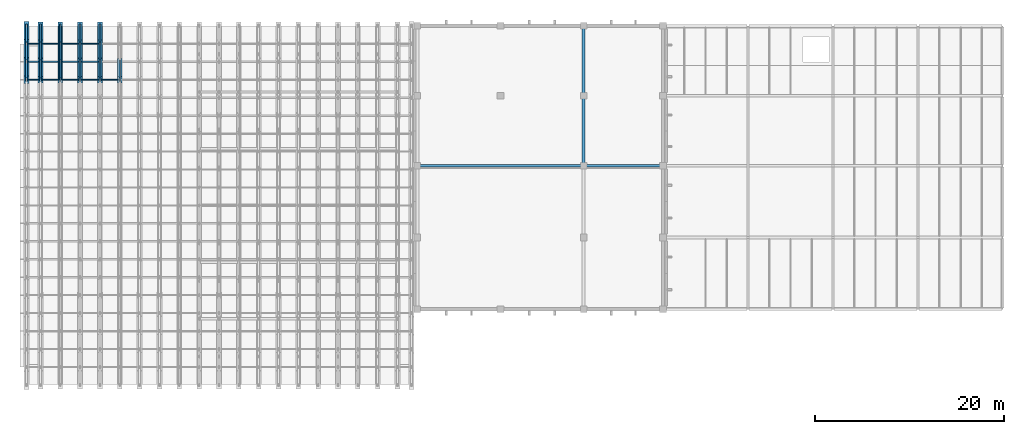
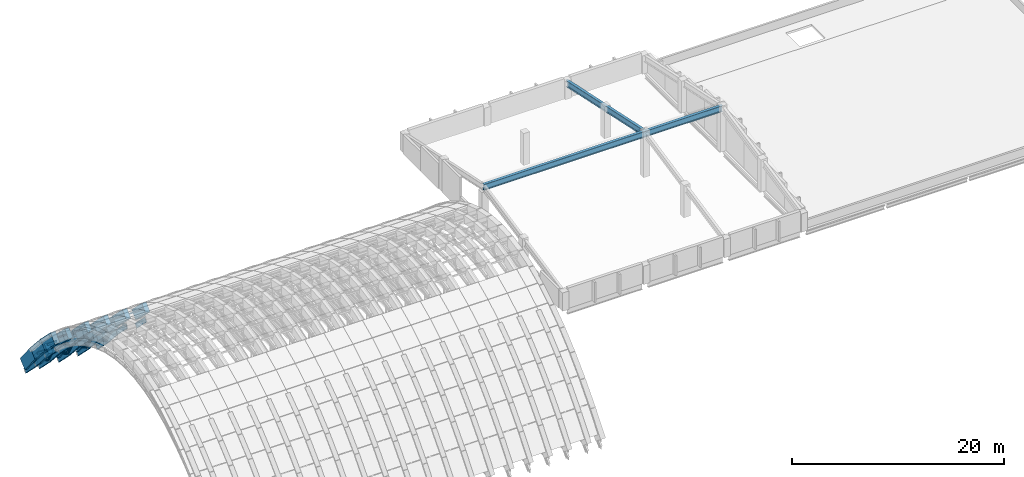
# One storey, part 45 of 67: 34 beams, 25 members.
"""IFC4 building model written with IfcOpenShell, lengths in metres."""

import ifcopenshell
import ifcopenshell.guid

model = None  # the IFC model being written
_history = None  # IfcOwnerHistory: only IFC2X3 demands one
_inside = {}  # id of a spatial element -> (the spatial element, [elements in it])
_under = {}  # id of a project, library or spatial element -> (it, [spatial elements below it])
_declared = {}  # id of a project -> (the project, [libraries it declares])
_typed = {}  # id of a type object -> (the type object, [elements of that type])
_made_of = {}  # id of a material, layer set ... -> (it, [elements and type objects made of it])


def new_model(schema):
    """Start an empty IFC model of exactly this schema.

    Asked for "IFC4X3", IfcOpenShell would pick the latest addendum, in which some entities
    have other attributes; the version numbers below select the first issue.
    IFC2X3 requires an IfcOwnerHistory on every rooted entity: one is made here for all.
    """
    global model, _history
    if schema == "IFC4X3":
        model = ifcopenshell.file(schema_version=(4, 3, 0, 0))
    else:
        model = ifcopenshell.file(schema=schema)
    _inside.clear()
    _under.clear()
    _declared.clear()
    _typed.clear()
    _made_of.clear()
    _history = None
    if model.schema == "IFC2X3":
        org = make("IfcOrganization", Name="unknown")
        user = make(
            "IfcPersonAndOrganization",
            ThePerson=make("IfcPerson", FamilyName="unknown"),
            TheOrganization=org,
        )
        app = make(
            "IfcApplication",
            ApplicationDeveloper=org,
            Version="unknown",
            ApplicationFullName="unknown",
            ApplicationIdentifier="unknown",
        )
        _history = make(
            "IfcOwnerHistory",
            OwningUser=user,
            OwningApplication=app,
            ChangeAction="ADDED",
            CreationDate=0,
        )
    return model


def make(cls, **values):
    """One entity of the class cls with the attributes given. An attribute that is None is left unset."""
    return model.create_entity(
        cls, **{name: value for name, value in values.items() if value is not None}
    )


def rooted(cls, **values):
    """An entity with a GlobalId (a new one), such as an element, a storey or a relation."""
    return make(cls, GlobalId=ifcopenshell.guid.new(), OwnerHistory=_history, **values)


def si_unit(unit_type, name, prefix=None):
    """IfcSIUnit, for example si_unit("LENGTHUNIT", "METRE", prefix="MILLI")."""
    return make("IfcSIUnit", UnitType=unit_type, Prefix=prefix, Name=name)


def assignment(units):
    """IfcUnitAssignment: the units of a project."""
    return None if units is None else make("IfcUnitAssignment", Units=units)


def point(xyz):
    """IfcCartesianPoint."""
    return None if xyz is None else make("IfcCartesianPoint", Coordinates=xyz)


def direction(xyz):
    """IfcDirection."""
    return None if xyz is None else make("IfcDirection", DirectionRatios=xyz)


def frame(location, z_axis=None, x_axis=None):
    """IfcAxis2Placement3D, a coordinate frame: its origin and axes. An axis left out is left unset."""
    return make(
        "IfcAxis2Placement3D",
        Location=point(location),
        Axis=direction(z_axis),
        RefDirection=direction(x_axis),
    )


def frame_2d(location, x_axis=None):
    """IfcAxis2Placement2D, a coordinate frame in the plane: its origin and x axis."""
    return make(
        "IfcAxis2Placement2D", Location=point(location), RefDirection=direction(x_axis)
    )


def origin():
    """The frame at (0, 0, 0) with its axes left unset."""
    return frame((0.0, 0.0, 0.0))


def origin_2d():
    """The frame at (0, 0) in the plane with its x axis left unset."""
    return frame_2d((0.0, 0.0))


def place(relative_to, where):
    """IfcLocalPlacement: puts the frame where relative to a parent placement (None: the world)."""
    return make(
        "IfcLocalPlacement", PlacementRelTo=relative_to, RelativePlacement=where
    )


def context(
    kind, dimensions, precision=None, world=None, true_north=None, identifier=None
):
    """IfcGeometricRepresentationContext, for example the 3D "Model" context."""
    return make(
        "IfcGeometricRepresentationContext",
        ContextIdentifier=identifier,
        ContextType=kind,
        CoordinateSpaceDimension=dimensions,
        Precision=precision,
        WorldCoordinateSystem=world,
        TrueNorth=true_north,
    )


def subcontext(parent, identifier, kind, view, scale=None):
    """IfcGeometricRepresentationSubContext, for example "Body" below "Model"."""
    return make(
        "IfcGeometricRepresentationSubContext",
        ContextIdentifier=identifier,
        ContextType=kind,
        ParentContext=parent,
        TargetScale=scale,
        TargetView=view,
    )


def project(units=None, contexts=None):
    """IfcProject with its units and contexts."""
    return rooted(
        "IfcProject",
        Name="project",
        RepresentationContexts=contexts,
        UnitsInContext=assignment(units),
    )


def spatial(cls, under=None, at=None, **own):
    """A site, building, storey or space (cls), placed at a placement, below another one or the project."""
    s = rooted(cls, ObjectPlacement=at, **own)
    if under is not None:
        _under.setdefault(under.id(), (under, []))[1].append(s)
    return s


def profile(cls, at=None, kind="AREA", **sizes):
    """A parametric profile (cls). Its sizes go by their IFC names, for example OverallWidth=200.0."""
    return make(cls, ProfileType=kind, Position=at, **sizes)


def rectangle(**sizes):
    """IfcRectangleProfileDef."""
    return profile("IfcRectangleProfileDef", **sizes)


def hollow_rectangle(**sizes):
    """IfcRectangleHollowProfileDef."""
    return profile("IfcRectangleHollowProfileDef", **sizes)


def hollow_circle(**sizes):
    """IfcCircleHollowProfileDef."""
    return profile("IfcCircleHollowProfileDef", **sizes)


def i_section(**sizes):
    """IfcIShapeProfileDef."""
    return profile("IfcIShapeProfileDef", **sizes)


def extrude(swept, where, along, depth):
    """IfcExtrudedAreaSolid: the profile swept, set in the frame where, extruded along a direction by depth."""
    return make(
        "IfcExtrudedAreaSolid",
        SweptArea=swept,
        Position=where,
        ExtrudedDirection=direction(along),
        Depth=depth,
    )


def shape(context_of_items, identifier, shape_type, items):
    """IfcShapeRepresentation: the items that make up one representation, for example the "Body"."""
    return make(
        "IfcShapeRepresentation",
        ContextOfItems=context_of_items,
        RepresentationIdentifier=identifier,
        RepresentationType=shape_type,
        Items=items,
    )


def material(Name=None, Category=None):
    """IfcMaterial."""
    return make("IfcMaterial", Name=Name, Category=Category)


def material_profile(
    of_material, cross_section, Name=None, Category=None, Priority=None
):
    """IfcMaterialProfile: a cross section and its material."""
    return make(
        "IfcMaterialProfile",
        Name=Name,
        Material=of_material,
        Profile=cross_section,
        Priority=Priority,
        Category=Category,
    )


def profile_set(profiles, Name=None, composite=None):
    """IfcMaterialProfileSet."""
    return make(
        "IfcMaterialProfileSet",
        Name=Name,
        MaterialProfiles=profiles,
        CompositeProfile=composite,
    )


def made_of(thing, what):
    """Note that an element or type object is made of a material, layer set ...; save() writes the relation."""
    if what is not None:
        _made_of.setdefault(what.id(), (what, []))[1].append(thing)
    return thing


def type_object(cls, material=None, **own):
    """A type object (cls), such as IfcWallType, which elements share."""
    return made_of(rooted(cls, **own), material)


def element(
    cls,
    number,
    at=None,
    inside=None,
    cuts=None,
    type_object=None,
    material=None,
    context=None,
    identifier="Body",
    shape_type=None,
    held_by="IfcProductDefinitionShape",
    body=None,
    shapes=None,
    **own,
):
    """One element of the class cls, such as IfcWall. Its Tag is "e" and its number.

    at: its placement. inside: the storey or other place that contains it. cuts: it is an
    opening in that element (IfcRelVoidsElement). A single representation is given by context,
    identifier, shape_type and body (its items); several are given by shapes. held_by: the class
    of the entity that holds the representations. save() writes the other relations.
    """
    e = rooted(cls, Tag="e%d" % number, ObjectPlacement=at, **own)
    if body is not None:
        shapes = [shape(context, identifier, shape_type, body)]
    if shapes is not None:
        e.Representation = make(held_by, Representations=shapes)
    if inside is not None:
        _inside.setdefault(inside.id(), (inside, []))[1].append(e)
    if cuts is not None:
        rooted(
            "IfcRelVoidsElement", RelatingBuildingElement=cuts, RelatedOpeningElement=e
        )
    if type_object is not None:
        _typed.setdefault(type_object.id(), (type_object, []))[1].append(e)
    return made_of(e, material)


def aggregate(whole, parts):
    """IfcRelAggregates: a whole, such as a stair, and the parts it consists of."""
    return rooted("IfcRelAggregates", RelatingObject=whole, RelatedObjects=parts)


def save(model, path):
    """Write the relations noted so far, then the file.

    IfcRelAggregates (storeys below a building ...), IfcRelContainedInSpatialStructure (elements
    in a storey), IfcRelDefinesByType, IfcRelAssociatesMaterial and IfcRelDeclares: one each for
    every whole, place, type object, material and project.
    """
    for whole, parts in _under.values():
        aggregate(whole, parts)
    for where, things in _inside.values():
        rooted(
            "IfcRelContainedInSpatialStructure",
            RelatedElements=things,
            RelatingStructure=where,
        )
    for kind, things in _typed.values():
        rooted("IfcRelDefinesByType", RelatedObjects=things, RelatingType=kind)
    for what, things in _made_of.values():
        rooted("IfcRelAssociatesMaterial", RelatedObjects=things, RelatingMaterial=what)
    for by, libraries in _declared.values():
        rooted("IfcRelDeclares", RelatingContext=by, RelatedDefinitions=libraries)
    model.write(path)


model = new_model("IFC4")

# Units and contexts
model_context = context("Model", 3, precision=1e-05, world=origin(), true_north=direction((0.0, 1.0)))
body_context = subcontext(model_context, "Body", "Model", "MODEL_VIEW")
ifc_project = project(units=[si_unit("LENGTHUNIT", "METRE"), si_unit("AREAUNIT", "SQUARE_METRE"), si_unit("VOLUMEUNIT", "CUBIC_METRE"), si_unit("PLANEANGLEUNIT", "RADIAN"), si_unit("MASSUNIT", "GRAM", prefix="KILO")], contexts=[model_context])

# Site, building, storey
site_placement = place(None, origin())
site = spatial("IfcSite", under=ifc_project, at=site_placement, CompositionType="ELEMENT")
building_placement = place(site_placement, origin())
building = spatial("IfcBuilding", under=site, at=building_placement, Name="Shengluoqiao Park Theatre", CompositionType="ELEMENT")
storey_placement = place(building_placement, frame((0.0, 0.0, 28.60009765625)))
storey = spatial("IfcBuildingStorey", under=building, at=storey_placement, Name="Roof", CompositionType="ELEMENT", Elevation=28.60009765625)

# Beams
ifc_material_1 = material(Name="Concrete C50", Category="concrete")
ifc_material_profile_1 = material_profile(ifc_material_1, rectangle(XDim=0.5, YDim=1.050048828125, at=origin_2d()), Name="RC ARCH 500x1050")
ifc_profile_set_1 = profile_set([ifc_material_profile_1], Name="Concrete C50")
beam_type_1 = type_object("IfcBeamType", Name="STR-BM-AR-5010", PredefinedType="BEAM", material=ifc_profile_set_1)
beam_1_placement = place(storey_placement, frame((46.5, 108.300048828125, -3.593994140625), z_axis=(0.0, 0.708926398432, -0.705282469373), x_axis=(-1.0, 0.0, 0.0)))
element("IfcBeam", 1, at=beam_1_placement, inside=storey, type_object=beam_type_1, Name="Barrel-Shell Arch Rib R02-S18", PredefinedType="BEAM", context=body_context, shape_type="SweptSolid", body=[
    extrude(rectangle(XDim=0.5, YDim=1.050048828125, at=origin_2d()), origin(), (0.0, 0.0, 1.0), 2.679931640625),
])
beam_2_placement = place(storey_placement, frame((46.5, 110.199951171875, -5.484130859375), z_axis=(0.0, 0.663638456789, -0.748053473136), x_axis=(-1.0, 0.0, 0.0)))
element("IfcBeam", 2, at=beam_2_placement, inside=storey, type_object=beam_type_1, Name="Barrel-Shell Arch Rib R02-S19", PredefinedType="BEAM", context=body_context, shape_type="SweptSolid", body=[
    extrude(rectangle(XDim=0.5, YDim=1.050048828125, at=origin_2d()), origin(), (0.0, 0.0, 1.0), 2.86328125),
])
beam_3_placement = place(storey_placement, frame((46.5, 112.10009765625, -7.6259765625), z_axis=(0.0, 0.621631409309, -0.783309894588), x_axis=(-1.0, 0.0, 0.0)))
element("IfcBeam", 3, at=beam_3_placement, inside=storey, type_object=beam_type_1, Name="Barrel-Shell Arch Rib R02-S20", PredefinedType="BEAM", context=body_context, shape_type="SweptSolid", body=[
    extrude(rectangle(XDim=0.5, YDim=1.050048828125, at=origin_2d()), origin(), (0.0, 0.0, 1.0), 3.056396484375),
])
beam_4_placement = place(storey_placement, frame((48.60009765625, 108.300048828125, -3.593994140625), z_axis=(0.0, 0.708926398432, -0.705282469373), x_axis=(-1.0, 0.0, 0.0)))
element("IfcBeam", 4, at=beam_4_placement, inside=storey, type_object=beam_type_1, Name="Barrel-Shell Arch Rib R03-S18", PredefinedType="BEAM", context=body_context, shape_type="SweptSolid", body=[
    extrude(rectangle(XDim=0.5, YDim=1.050048828125, at=origin_2d()), origin(), (0.0, 0.0, 1.0), 2.679931640625),
])
beam_5_placement = place(storey_placement, frame((48.60009765625, 110.199951171875, -5.484130859375), z_axis=(0.0, 0.663638456789, -0.748053473136), x_axis=(-1.0, 0.0, 0.0)))
element("IfcBeam", 5, at=beam_5_placement, inside=storey, type_object=beam_type_1, Name="Barrel-Shell Arch Rib R03-S19", PredefinedType="BEAM", context=body_context, shape_type="SweptSolid", body=[
    extrude(rectangle(XDim=0.5, YDim=1.050048828125, at=origin_2d()), origin(), (0.0, 0.0, 1.0), 2.86328125),
])
beam_6_placement = place(storey_placement, frame((48.60009765625, 112.10009765625, -7.6259765625), z_axis=(0.0, 0.621631409309, -0.783309894588), x_axis=(-1.0, 0.0, 0.0)))
element("IfcBeam", 6, at=beam_6_placement, inside=storey, type_object=beam_type_1, Name="Barrel-Shell Arch Rib R03-S20", PredefinedType="BEAM", context=body_context, shape_type="SweptSolid", body=[
    extrude(rectangle(XDim=0.5, YDim=1.050048828125, at=origin_2d()), origin(), (0.0, 0.0, 1.0), 3.056396484375),
])
beam_7_placement = place(storey_placement, frame((50.699951171875, 108.300048828125, -3.593994140625), z_axis=(0.0, 0.708926398432, -0.705282469373), x_axis=(-1.0, 0.0, 0.0)))
element("IfcBeam", 7, at=beam_7_placement, inside=storey, type_object=beam_type_1, Name="Barrel-Shell Arch Rib R04-S18", PredefinedType="BEAM", context=body_context, shape_type="SweptSolid", body=[
    extrude(rectangle(XDim=0.5, YDim=1.050048828125, at=origin_2d()), origin(), (0.0, 0.0, 1.0), 2.679931640625),
])
beam_8_placement = place(storey_placement, frame((50.699951171875, 110.199951171875, -5.484130859375), z_axis=(0.0, 0.663638456789, -0.748053473136), x_axis=(-1.0, 0.0, 0.0)))
element("IfcBeam", 8, at=beam_8_placement, inside=storey, type_object=beam_type_1, Name="Barrel-Shell Arch Rib R04-S19", PredefinedType="BEAM", context=body_context, shape_type="SweptSolid", body=[
    extrude(rectangle(XDim=0.5, YDim=1.050048828125, at=origin_2d()), origin(), (0.0, 0.0, 1.0), 2.86328125),
])
beam_9_placement = place(storey_placement, frame((50.699951171875, 112.10009765625, -7.6259765625), z_axis=(0.0, 0.621631409309, -0.783309894588), x_axis=(-1.0, 0.0, 0.0)))
element("IfcBeam", 9, at=beam_9_placement, inside=storey, type_object=beam_type_1, Name="Barrel-Shell Arch Rib R04-S20", PredefinedType="BEAM", context=body_context, shape_type="SweptSolid", body=[
    extrude(rectangle(XDim=0.5, YDim=1.050048828125, at=origin_2d()), origin(), (0.0, 0.0, 1.0), 3.056396484375),
])
beam_10_placement = place(storey_placement, frame((52.800048828125, 108.300048828125, -3.593994140625), z_axis=(0.0, 0.708926398432, -0.705282469373), x_axis=(-1.0, 0.0, 0.0)))
element("IfcBeam", 10, at=beam_10_placement, inside=storey, type_object=beam_type_1, Name="Barrel-Shell Arch Rib R05-S18", PredefinedType="BEAM", context=body_context, shape_type="SweptSolid", body=[
    extrude(rectangle(XDim=0.5, YDim=1.050048828125, at=origin_2d()), origin(), (0.0, 0.0, 1.0), 2.679931640625),
])
beam_11_placement = place(storey_placement, frame((52.800048828125, 110.199951171875, -5.484130859375), z_axis=(0.0, 0.663638456789, -0.748053473136), x_axis=(-1.0, 0.0, 0.0)))
element("IfcBeam", 11, at=beam_11_placement, inside=storey, type_object=beam_type_1, Name="Barrel-Shell Arch Rib R05-S19", PredefinedType="BEAM", context=body_context, shape_type="SweptSolid", body=[
    extrude(rectangle(XDim=0.5, YDim=1.050048828125, at=origin_2d()), origin(), (0.0, 0.0, 1.0), 2.86328125),
])
beam_12_placement = place(storey_placement, frame((52.800048828125, 112.10009765625, -7.6259765625), z_axis=(0.0, 0.621631409309, -0.783309894588), x_axis=(-1.0, 0.0, 0.0)))
element("IfcBeam", 12, at=beam_12_placement, inside=storey, type_object=beam_type_1, Name="Barrel-Shell Arch Rib R05-S20", PredefinedType="BEAM", context=body_context, shape_type="SweptSolid", body=[
    extrude(rectangle(XDim=0.5, YDim=1.050048828125, at=origin_2d()), origin(), (0.0, 0.0, 1.0), 3.056396484375),
])
beam_13_placement = place(storey_placement, frame((54.89990234375, 108.300048828125, -3.593994140625), z_axis=(0.0, 0.708926398432, -0.705282469373), x_axis=(-1.0, 0.0, 0.0)))
element("IfcBeam", 13, at=beam_13_placement, inside=storey, type_object=beam_type_1, Name="Barrel-Shell Arch Rib R06-S18", PredefinedType="BEAM", context=body_context, shape_type="SweptSolid", body=[
    extrude(rectangle(XDim=0.5, YDim=1.050048828125, at=origin_2d()), origin(), (0.0, 0.0, 1.0), 2.679931640625),
])
ifc_material_profile_2 = material_profile(ifc_material_1, rectangle(XDim=0.550048828125, YDim=1.199951171875, at=origin_2d()), Name="RC ARCH 550x1200")
ifc_profile_set_2 = profile_set([ifc_material_profile_2], Name="Concrete C50")
beam_type_2 = type_object("IfcBeamType", Name="STR-BM-AR-5512", PredefinedType="BEAM", material=ifc_profile_set_2)
beam_14_placement = place(storey_placement, frame((45.02001953125, 108.300048828125, -3.593994140625), z_axis=(0.0, 0.708926398432, -0.705282469373), x_axis=(-1.0, 0.0, 0.0)))
element("IfcBeam", 14, at=beam_14_placement, inside=storey, type_object=beam_type_2, Name="Barrel-Shell Arch Rib R01-S18", PredefinedType="BEAM", context=body_context, shape_type="SweptSolid", body=[
    extrude(rectangle(XDim=0.550048828125, YDim=1.199951171875, at=origin_2d()), origin(), (0.0, 0.0, 1.0), 2.679931640625),
])
beam_15_placement = place(storey_placement, frame((45.02001953125, 110.199951171875, -5.484130859375), z_axis=(0.0, 0.663638456789, -0.748053473136), x_axis=(-1.0, 0.0, 0.0)))
element("IfcBeam", 15, at=beam_15_placement, inside=storey, type_object=beam_type_2, Name="Barrel-Shell Arch Rib R01-S19", PredefinedType="BEAM", context=body_context, shape_type="SweptSolid", body=[
    extrude(rectangle(XDim=0.550048828125, YDim=1.199951171875, at=origin_2d()), origin(), (0.0, 0.0, 1.0), 2.86328125),
])
beam_16_placement = place(storey_placement, frame((45.02001953125, 112.10009765625, -7.6259765625), z_axis=(0.0, 0.621631409309, -0.783309894588), x_axis=(-1.0, 0.0, 0.0)))
element("IfcBeam", 16, at=beam_16_placement, inside=storey, type_object=beam_type_2, Name="Barrel-Shell Arch Rib R01-S20", PredefinedType="BEAM", context=body_context, shape_type="SweptSolid", body=[
    extrude(rectangle(XDim=0.550048828125, YDim=1.199951171875, at=origin_2d()), origin(), (0.0, 0.0, 1.0), 3.056396484375),
])
ifc_material_2 = material(Name="Steel Q390", Category="steel")
ifc_material_profile_3 = material_profile(ifc_material_2, i_section(OverallWidth=0.300048828125, OverallDepth=0.699951171875, WebThickness=0.012939453125, FlangeThickness=0.02392578125, FilletRadius=0.02392578125, at=origin_2d()), Name="HN 700x300x13x24")
ifc_profile_set_3 = profile_set([ifc_material_profile_3], Name="Steel Q390")
beam_type_3 = type_object("IfcBeamType", Name="STR-BM-G-HN700", PredefinedType="BEAM", material=ifc_profile_set_3)
beam_17_placement = place(storey_placement, frame((86.39990234375, 99.199951171875, 4.7998046875), z_axis=(1.0, 0.0, 0.0), x_axis=(0.0, 1.0, 0.0)))
element("IfcBeam", 17, at=beam_17_placement, inside=storey, type_object=beam_type_3, Name="Fly Tower Roof Ridge Girder", PredefinedType="BEAM", context=body_context, shape_type="SweptSolid", body=[
    extrude(i_section(OverallWidth=0.300048828125, OverallDepth=0.699951171875, WebThickness=0.012939453125, FlangeThickness=0.02392578125, FilletRadius=0.02392578125, at=origin_2d()), origin(), (0.0, 0.0, 1.0), 26.0),
])
beam_18_placement = place(storey_placement, frame((104.0, 99.35009765625, 4.7998046875), z_axis=(0.0, 0.977921194151, -0.20897401281), x_axis=(-1.0, 0.0, 0.0)))
element("IfcBeam", 18, at=beam_18_placement, inside=storey, type_object=beam_type_3, Name="Fly Tower North Roof Rafter X104", PredefinedType="BEAM", context=body_context, shape_type="SweptSolid", body=[
    extrude(i_section(OverallWidth=0.300048828125, OverallDepth=0.699951171875, WebThickness=0.012939453125, FlangeThickness=0.02392578125, FilletRadius=0.02392578125, at=origin_2d()), origin(), (0.0, 0.0, 1.0), 14.929443359375),
])
ifc_material_3 = material(Name="Steel Q355", Category="steel")
ifc_material_profile_4 = material_profile(ifc_material_3, i_section(OverallWidth=0.199951171875, OverallDepth=0.5, WebThickness=0.010009765625, FlangeThickness=0.01611328125, FilletRadius=0.01806640625, at=origin_2d()), Name="HN 500x200x10x16")
ifc_profile_set_4 = profile_set([ifc_material_profile_4], Name="Steel Q355")
beam_type_4 = type_object("IfcBeamType", Name="STR-BM-J-HN500", PredefinedType="JOIST", material=ifc_profile_set_4)
beam_19_placement = place(storey_placement, frame((45.02001953125, 108.300048828125, -4.9541015625), z_axis=(0.0, 0.708971948389, -0.70523668112), x_axis=(-1.0, 0.0, 0.0)))
element("IfcBeam", 19, at=beam_19_placement, inside=storey, type_object=beam_type_4, Name="Barrel-Shell Lower Arch Chord R01-S18", PredefinedType="JOIST", context=body_context, shape_type="SweptSolid", body=[
    extrude(i_section(OverallWidth=0.199951171875, OverallDepth=0.5, WebThickness=0.010009765625, FlangeThickness=0.01611328125, FilletRadius=0.01806640625, at=origin_2d()), origin(), (0.0, 0.0, 1.0), 2.6796875),
])
beam_20_placement = place(storey_placement, frame((45.02001953125, 110.199951171875, -6.843994140625), z_axis=(0.0, 0.663596128385, -0.748091022799), x_axis=(-1.0, 0.0, 0.0)))
element("IfcBeam", 20, at=beam_20_placement, inside=storey, type_object=beam_type_4, Name="Barrel-Shell Lower Arch Chord R01-S19", PredefinedType="JOIST", context=body_context, shape_type="SweptSolid", body=[
    extrude(i_section(OverallWidth=0.199951171875, OverallDepth=0.5, WebThickness=0.010009765625, FlangeThickness=0.01611328125, FilletRadius=0.01806640625, at=origin_2d()), origin(), (0.0, 0.0, 1.0), 2.863525390625),
])
beam_21_placement = place(storey_placement, frame((45.02001953125, 112.10009765625, -8.986083984375), z_axis=(0.0, 0.708197993403, -0.706013882398), x_axis=(-1.0, 0.0, 0.0)))
element("IfcBeam", 21, at=beam_21_placement, inside=storey, type_object=beam_type_4, Name="Barrel-Shell Lower Arch Chord R01-S20", PredefinedType="JOIST", context=body_context, shape_type="SweptSolid", body=[
    extrude(i_section(OverallWidth=0.199951171875, OverallDepth=0.5, WebThickness=0.010009765625, FlangeThickness=0.01611328125, FilletRadius=0.01806640625, at=origin_2d()), origin(), (0.0, 0.0, 1.0), 2.6826171875),
])
beam_22_placement = place(storey_placement, frame((46.5, 108.300048828125, -4.9541015625), z_axis=(0.0, 0.708971948389, -0.70523668112), x_axis=(-1.0, 0.0, 0.0)))
element("IfcBeam", 22, at=beam_22_placement, inside=storey, type_object=beam_type_4, Name="Barrel-Shell Lower Arch Chord R02-S18", PredefinedType="JOIST", context=body_context, shape_type="SweptSolid", body=[
    extrude(i_section(OverallWidth=0.199951171875, OverallDepth=0.5, WebThickness=0.010009765625, FlangeThickness=0.01611328125, FilletRadius=0.01806640625, at=origin_2d()), origin(), (0.0, 0.0, 1.0), 2.6796875),
])
beam_23_placement = place(storey_placement, frame((46.5, 110.199951171875, -6.843994140625), z_axis=(0.0, 0.663596128385, -0.748091022799), x_axis=(-1.0, 0.0, 0.0)))
element("IfcBeam", 23, at=beam_23_placement, inside=storey, type_object=beam_type_4, Name="Barrel-Shell Lower Arch Chord R02-S19", PredefinedType="JOIST", context=body_context, shape_type="SweptSolid", body=[
    extrude(i_section(OverallWidth=0.199951171875, OverallDepth=0.5, WebThickness=0.010009765625, FlangeThickness=0.01611328125, FilletRadius=0.01806640625, at=origin_2d()), origin(), (0.0, 0.0, 1.0), 2.863525390625),
])
beam_24_placement = place(storey_placement, frame((46.5, 112.10009765625, -8.986083984375), z_axis=(0.0, 0.708197993403, -0.706013882398), x_axis=(-1.0, 0.0, 0.0)))
element("IfcBeam", 24, at=beam_24_placement, inside=storey, type_object=beam_type_4, Name="Barrel-Shell Lower Arch Chord R02-S20", PredefinedType="JOIST", context=body_context, shape_type="SweptSolid", body=[
    extrude(i_section(OverallWidth=0.199951171875, OverallDepth=0.5, WebThickness=0.010009765625, FlangeThickness=0.01611328125, FilletRadius=0.01806640625, at=origin_2d()), origin(), (0.0, 0.0, 1.0), 2.6826171875),
])
beam_25_placement = place(storey_placement, frame((48.60009765625, 108.300048828125, -4.9541015625), z_axis=(0.0, 0.708971948389, -0.70523668112), x_axis=(-1.0, 0.0, 0.0)))
element("IfcBeam", 25, at=beam_25_placement, inside=storey, type_object=beam_type_4, Name="Barrel-Shell Lower Arch Chord R03-S18", PredefinedType="JOIST", context=body_context, shape_type="SweptSolid", body=[
    extrude(i_section(OverallWidth=0.199951171875, OverallDepth=0.5, WebThickness=0.010009765625, FlangeThickness=0.01611328125, FilletRadius=0.01806640625, at=origin_2d()), origin(), (0.0, 0.0, 1.0), 2.6796875),
])
beam_26_placement = place(storey_placement, frame((48.60009765625, 110.199951171875, -6.843994140625), z_axis=(0.0, 0.663596128385, -0.748091022799), x_axis=(-1.0, 0.0, 0.0)))
element("IfcBeam", 26, at=beam_26_placement, inside=storey, type_object=beam_type_4, Name="Barrel-Shell Lower Arch Chord R03-S19", PredefinedType="JOIST", context=body_context, shape_type="SweptSolid", body=[
    extrude(i_section(OverallWidth=0.199951171875, OverallDepth=0.5, WebThickness=0.010009765625, FlangeThickness=0.01611328125, FilletRadius=0.01806640625, at=origin_2d()), origin(), (0.0, 0.0, 1.0), 2.863525390625),
])
beam_27_placement = place(storey_placement, frame((48.60009765625, 112.10009765625, -8.986083984375), z_axis=(0.0, 0.708197993403, -0.706013882398), x_axis=(-1.0, 0.0, 0.0)))
element("IfcBeam", 27, at=beam_27_placement, inside=storey, type_object=beam_type_4, Name="Barrel-Shell Lower Arch Chord R03-S20", PredefinedType="JOIST", context=body_context, shape_type="SweptSolid", body=[
    extrude(i_section(OverallWidth=0.199951171875, OverallDepth=0.5, WebThickness=0.010009765625, FlangeThickness=0.01611328125, FilletRadius=0.01806640625, at=origin_2d()), origin(), (0.0, 0.0, 1.0), 2.6826171875),
])
beam_28_placement = place(storey_placement, frame((50.699951171875, 108.300048828125, -4.9541015625), z_axis=(0.0, 0.708971948389, -0.70523668112), x_axis=(-1.0, 0.0, 0.0)))
element("IfcBeam", 28, at=beam_28_placement, inside=storey, type_object=beam_type_4, Name="Barrel-Shell Lower Arch Chord R04-S18", PredefinedType="JOIST", context=body_context, shape_type="SweptSolid", body=[
    extrude(i_section(OverallWidth=0.199951171875, OverallDepth=0.5, WebThickness=0.010009765625, FlangeThickness=0.01611328125, FilletRadius=0.01806640625, at=origin_2d()), origin(), (0.0, 0.0, 1.0), 2.6796875),
])
beam_29_placement = place(storey_placement, frame((50.699951171875, 110.199951171875, -6.843994140625), z_axis=(0.0, 0.663596128385, -0.748091022799), x_axis=(-1.0, 0.0, 0.0)))
element("IfcBeam", 29, at=beam_29_placement, inside=storey, type_object=beam_type_4, Name="Barrel-Shell Lower Arch Chord R04-S19", PredefinedType="JOIST", context=body_context, shape_type="SweptSolid", body=[
    extrude(i_section(OverallWidth=0.199951171875, OverallDepth=0.5, WebThickness=0.010009765625, FlangeThickness=0.01611328125, FilletRadius=0.01806640625, at=origin_2d()), origin(), (0.0, 0.0, 1.0), 2.863525390625),
])
beam_30_placement = place(storey_placement, frame((50.699951171875, 112.10009765625, -8.986083984375), z_axis=(0.0, 0.708197993403, -0.706013882398), x_axis=(-1.0, 0.0, 0.0)))
element("IfcBeam", 30, at=beam_30_placement, inside=storey, type_object=beam_type_4, Name="Barrel-Shell Lower Arch Chord R04-S20", PredefinedType="JOIST", context=body_context, shape_type="SweptSolid", body=[
    extrude(i_section(OverallWidth=0.199951171875, OverallDepth=0.5, WebThickness=0.010009765625, FlangeThickness=0.01611328125, FilletRadius=0.01806640625, at=origin_2d()), origin(), (0.0, 0.0, 1.0), 2.6826171875),
])
beam_31_placement = place(storey_placement, frame((52.800048828125, 108.300048828125, -4.9541015625), z_axis=(0.0, 0.708971948389, -0.70523668112), x_axis=(-1.0, 0.0, 0.0)))
element("IfcBeam", 31, at=beam_31_placement, inside=storey, type_object=beam_type_4, Name="Barrel-Shell Lower Arch Chord R05-S18", PredefinedType="JOIST", context=body_context, shape_type="SweptSolid", body=[
    extrude(i_section(OverallWidth=0.199951171875, OverallDepth=0.5, WebThickness=0.010009765625, FlangeThickness=0.01611328125, FilletRadius=0.01806640625, at=origin_2d()), origin(), (0.0, 0.0, 1.0), 2.6796875),
])
beam_32_placement = place(storey_placement, frame((52.800048828125, 110.199951171875, -6.843994140625), z_axis=(0.0, 0.663596128385, -0.748091022799), x_axis=(-1.0, 0.0, 0.0)))
element("IfcBeam", 32, at=beam_32_placement, inside=storey, type_object=beam_type_4, Name="Barrel-Shell Lower Arch Chord R05-S19", PredefinedType="JOIST", context=body_context, shape_type="SweptSolid", body=[
    extrude(i_section(OverallWidth=0.199951171875, OverallDepth=0.5, WebThickness=0.010009765625, FlangeThickness=0.01611328125, FilletRadius=0.01806640625, at=origin_2d()), origin(), (0.0, 0.0, 1.0), 2.863525390625),
])
beam_33_placement = place(storey_placement, frame((52.800048828125, 112.10009765625, -8.986083984375), z_axis=(0.0, 0.708197993403, -0.706013882398), x_axis=(-1.0, 0.0, 0.0)))
element("IfcBeam", 33, at=beam_33_placement, inside=storey, type_object=beam_type_4, Name="Barrel-Shell Lower Arch Chord R05-S20", PredefinedType="JOIST", context=body_context, shape_type="SweptSolid", body=[
    extrude(i_section(OverallWidth=0.199951171875, OverallDepth=0.5, WebThickness=0.010009765625, FlangeThickness=0.01611328125, FilletRadius=0.01806640625, at=origin_2d()), origin(), (0.0, 0.0, 1.0), 2.6826171875),
])
beam_34_placement = place(storey_placement, frame((54.89990234375, 108.300048828125, -4.9541015625), z_axis=(0.0, 0.708971948389, -0.70523668112), x_axis=(-1.0, 0.0, 0.0)))
element("IfcBeam", 34, at=beam_34_placement, inside=storey, type_object=beam_type_4, Name="Barrel-Shell Lower Arch Chord R06-S18", PredefinedType="JOIST", context=body_context, shape_type="SweptSolid", body=[
    extrude(i_section(OverallWidth=0.199951171875, OverallDepth=0.5, WebThickness=0.010009765625, FlangeThickness=0.01611328125, FilletRadius=0.01806640625, at=origin_2d()), origin(), (0.0, 0.0, 1.0), 2.6796875),
])

# Members
ifc_material_profile_5 = material_profile(ifc_material_3, hollow_circle(Radius=0.109619140625, WallThickness=0.010009765625, at=origin_2d()), Name="CHS 219x10")
ifc_profile_set_5 = profile_set([ifc_material_profile_5], Name="Steel Q355")
member_type_1 = type_object("IfcMemberType", Name="STR-MEM-BRC-219", PredefinedType="BRACE", material=ifc_profile_set_5)
member_1_placement = place(storey_placement, frame((46.5, 108.300048828125, -4.9541015625), z_axis=(0.0, 0.963219400843, -0.268716180831), x_axis=(-1.0, 0.0, 0.0)))
element("IfcMember", 35, at=member_1_placement, inside=storey, type_object=member_type_1, Name="Barrel-Shell Arch Truss Web 0038", PredefinedType="BRACE", context=body_context, shape_type="SweptSolid", body=[
    extrude(hollow_circle(Radius=0.109619140625, WallThickness=0.010009765625, at=origin_2d()), origin(), (0.0, 0.0, 1.0), 1.972412109375),
])
member_2_placement = place(storey_placement, frame((46.5, 110.199951171875, -5.484130859375), z_axis=(0.0, 0.476914707828, -0.87894957845), x_axis=(-1.0, 0.0, 0.0)))
element("IfcMember", 36, at=member_2_placement, inside=storey, type_object=member_type_1, Name="Barrel-Shell Arch Truss Web 0039", PredefinedType="BRACE", context=body_context, shape_type="SweptSolid", body=[
    extrude(hollow_circle(Radius=0.109619140625, WallThickness=0.010009765625, at=origin_2d()), origin(), (0.0, 0.0, 1.0), 3.984130859375),
])
member_3_placement = place(storey_placement, frame((46.5, 112.10009765625, -8.986083984375), z_axis=(0.0, 0.878356711208, -0.478005740422), x_axis=(-1.0, 0.0, 0.0)))
element("IfcMember", 37, at=member_3_placement, inside=storey, type_object=member_type_1, Name="Barrel-Shell Arch Truss Web 0040", PredefinedType="BRACE", context=body_context, shape_type="SweptSolid", body=[
    extrude(hollow_circle(Radius=0.109619140625, WallThickness=0.010009765625, at=origin_2d()), origin(), (0.0, 0.0, 1.0), 2.1630859375),
])
member_4_placement = place(storey_placement, frame((48.60009765625, 108.300048828125, -4.9541015625), z_axis=(0.0, 0.963219400843, -0.268716180831), x_axis=(-1.0, 0.0, 0.0)))
element("IfcMember", 38, at=member_4_placement, inside=storey, type_object=member_type_1, Name="Barrel-Shell Arch Truss Web 0058", PredefinedType="BRACE", context=body_context, shape_type="SweptSolid", body=[
    extrude(hollow_circle(Radius=0.109619140625, WallThickness=0.010009765625, at=origin_2d()), origin(), (0.0, 0.0, 1.0), 1.972412109375),
])
member_5_placement = place(storey_placement, frame((48.60009765625, 110.199951171875, -5.484130859375), z_axis=(0.0, 0.476914707828, -0.87894957845), x_axis=(-1.0, 0.0, 0.0)))
element("IfcMember", 39, at=member_5_placement, inside=storey, type_object=member_type_1, Name="Barrel-Shell Arch Truss Web 0059", PredefinedType="BRACE", context=body_context, shape_type="SweptSolid", body=[
    extrude(hollow_circle(Radius=0.109619140625, WallThickness=0.010009765625, at=origin_2d()), origin(), (0.0, 0.0, 1.0), 3.984130859375),
])
member_6_placement = place(storey_placement, frame((48.60009765625, 112.10009765625, -8.986083984375), z_axis=(0.0, 0.878356711208, -0.478005740422), x_axis=(-1.0, 0.0, 0.0)))
element("IfcMember", 40, at=member_6_placement, inside=storey, type_object=member_type_1, Name="Barrel-Shell Arch Truss Web 0060", PredefinedType="BRACE", context=body_context, shape_type="SweptSolid", body=[
    extrude(hollow_circle(Radius=0.109619140625, WallThickness=0.010009765625, at=origin_2d()), origin(), (0.0, 0.0, 1.0), 2.1630859375),
])
member_7_placement = place(storey_placement, frame((50.699951171875, 108.300048828125, -4.9541015625), z_axis=(0.0, 0.963219400843, -0.268716180831), x_axis=(-1.0, 0.0, 0.0)))
element("IfcMember", 41, at=member_7_placement, inside=storey, type_object=member_type_1, Name="Barrel-Shell Arch Truss Web 0078", PredefinedType="BRACE", context=body_context, shape_type="SweptSolid", body=[
    extrude(hollow_circle(Radius=0.109619140625, WallThickness=0.010009765625, at=origin_2d()), origin(), (0.0, 0.0, 1.0), 1.972412109375),
])
member_8_placement = place(storey_placement, frame((50.699951171875, 110.199951171875, -5.484130859375), z_axis=(0.0, 0.476914707828, -0.87894957845), x_axis=(-1.0, 0.0, 0.0)))
element("IfcMember", 42, at=member_8_placement, inside=storey, type_object=member_type_1, Name="Barrel-Shell Arch Truss Web 0079", PredefinedType="BRACE", context=body_context, shape_type="SweptSolid", body=[
    extrude(hollow_circle(Radius=0.109619140625, WallThickness=0.010009765625, at=origin_2d()), origin(), (0.0, 0.0, 1.0), 3.984130859375),
])
member_9_placement = place(storey_placement, frame((50.699951171875, 112.10009765625, -8.986083984375), z_axis=(0.0, 0.878356711208, -0.478005740422), x_axis=(-1.0, 0.0, 0.0)))
element("IfcMember", 43, at=member_9_placement, inside=storey, type_object=member_type_1, Name="Barrel-Shell Arch Truss Web 0080", PredefinedType="BRACE", context=body_context, shape_type="SweptSolid", body=[
    extrude(hollow_circle(Radius=0.109619140625, WallThickness=0.010009765625, at=origin_2d()), origin(), (0.0, 0.0, 1.0), 2.1630859375),
])
member_10_placement = place(storey_placement, frame((52.800048828125, 108.300048828125, -4.9541015625), z_axis=(0.0, 0.963219400843, -0.268716180831), x_axis=(-1.0, 0.0, 0.0)))
element("IfcMember", 44, at=member_10_placement, inside=storey, type_object=member_type_1, Name="Barrel-Shell Arch Truss Web 0098", PredefinedType="BRACE", context=body_context, shape_type="SweptSolid", body=[
    extrude(hollow_circle(Radius=0.109619140625, WallThickness=0.010009765625, at=origin_2d()), origin(), (0.0, 0.0, 1.0), 1.972412109375),
])
member_11_placement = place(storey_placement, frame((52.800048828125, 110.199951171875, -5.484130859375), z_axis=(0.0, 0.476914707828, -0.87894957845), x_axis=(-1.0, 0.0, 0.0)))
element("IfcMember", 45, at=member_11_placement, inside=storey, type_object=member_type_1, Name="Barrel-Shell Arch Truss Web 0099", PredefinedType="BRACE", context=body_context, shape_type="SweptSolid", body=[
    extrude(hollow_circle(Radius=0.109619140625, WallThickness=0.010009765625, at=origin_2d()), origin(), (0.0, 0.0, 1.0), 3.984130859375),
])
member_12_placement = place(storey_placement, frame((52.800048828125, 112.10009765625, -8.986083984375), z_axis=(0.0, 0.878356711208, -0.478005740422), x_axis=(-1.0, 0.0, 0.0)))
element("IfcMember", 46, at=member_12_placement, inside=storey, type_object=member_type_1, Name="Barrel-Shell Arch Truss Web 0100", PredefinedType="BRACE", context=body_context, shape_type="SweptSolid", body=[
    extrude(hollow_circle(Radius=0.109619140625, WallThickness=0.010009765625, at=origin_2d()), origin(), (0.0, 0.0, 1.0), 2.1630859375),
])
ifc_material_profile_6 = material_profile(ifc_material_3, hollow_rectangle(XDim=0.070068359375, YDim=0.139892578125, WallThickness=0.006103515625, InnerFilletRadius=0.006103515625, OuterFilletRadius=0.011962890625, at=origin_2d()), Name="RHS 140x70x6")
ifc_profile_set_6 = profile_set([ifc_material_profile_6], Name="Steel Q355")
member_type_2 = type_object("IfcMemberType", Name="STR-MEM-PU-R140", PredefinedType="PURLIN", material=ifc_profile_set_6)
member_13_placement = place(storey_placement, frame((45.239990234375, 108.300048828125, -3.674072265625), z_axis=(1.0, 0.0, 0.0), x_axis=(0.0, 1.0, 0.0)))
element("IfcMember", 47, at=member_13_placement, inside=storey, type_object=member_type_2, Name="Shell Longitudinal Purlin 0017", PredefinedType="PURLIN", context=body_context, shape_type="SweptSolid", body=[
    extrude(hollow_rectangle(XDim=0.070068359375, YDim=0.139892578125, WallThickness=0.006103515625, InnerFilletRadius=0.006103515625, OuterFilletRadius=0.011962890625, at=origin_2d()), origin(), (0.0, 0.0, 1.0), 1.0400390625),
])
for number, where, z_axis, x_axis, name in (
    (48, (46.719970703125, 108.300048828125, -3.674072265625), (1.0, 0.0, 0.0), (0.0, 1.0, 0.0), "Shell Longitudinal Purlin 0036"),
    (49, (48.820068359375, 108.300048828125, -3.674072265625), (1.0, 0.0, 0.0), (0.0, 1.0, 0.0), "Shell Longitudinal Purlin 0055"),
):
    element("IfcMember", number, at=place(storey_placement, frame(where, z_axis=z_axis, x_axis=x_axis)), inside=storey, type_object=member_type_2, Name=name, PredefinedType="PURLIN", context=body_context, shape_type="SweptSolid", body=[
        extrude(hollow_rectangle(XDim=0.070068359375, YDim=0.139892578125, WallThickness=0.006103515625, InnerFilletRadius=0.006103515625, OuterFilletRadius=0.011962890625, at=origin_2d()), origin(), (0.0, 0.0, 1.0), 1.659912109375),
    ])
member_14_placement = place(storey_placement, frame((50.919921875, 108.300048828125, -3.674072265625), z_axis=(1.0, 0.0, 0.0), x_axis=(0.0, 1.0, 0.0)))
element("IfcMember", 50, at=member_14_placement, inside=storey, type_object=member_type_2, Name="Shell Longitudinal Purlin 0074", PredefinedType="PURLIN", context=body_context, shape_type="SweptSolid", body=[
    extrude(hollow_rectangle(XDim=0.070068359375, YDim=0.139892578125, WallThickness=0.006103515625, InnerFilletRadius=0.006103515625, OuterFilletRadius=0.011962890625, at=origin_2d()), origin(), (0.0, 0.0, 1.0), 1.66015625),
])
member_15_placement = place(storey_placement, frame((53.02001953125, 108.300048828125, -3.674072265625), z_axis=(1.0, 0.0, 0.0), x_axis=(0.0, 1.0, 0.0)))
element("IfcMember", 51, at=member_15_placement, inside=storey, type_object=member_type_2, Name="Shell Longitudinal Purlin 0093", PredefinedType="PURLIN", context=body_context, shape_type="SweptSolid", body=[
    extrude(hollow_rectangle(XDim=0.070068359375, YDim=0.139892578125, WallThickness=0.006103515625, InnerFilletRadius=0.006103515625, OuterFilletRadius=0.011962890625, at=origin_2d()), origin(), (0.0, 0.0, 1.0), 1.659912109375),
])
ifc_material_profile_7 = material_profile(ifc_material_3, hollow_rectangle(XDim=0.139892578125, YDim=0.219970703125, WallThickness=0.010009765625, InnerFilletRadius=0.010009765625, OuterFilletRadius=0.02001953125, at=origin_2d()), Name="RHS 220x140x10")
ifc_profile_set_7 = profile_set([ifc_material_profile_7], Name="Steel Q355")
member_type_3 = type_object("IfcMemberType", Name="STR-MEM-PU-R220", PredefinedType="PURLIN", material=ifc_profile_set_7)
member_16_placement = place(storey_placement, frame((45.239990234375, 112.10009765625, -7.76611328125), z_axis=(1.0, 0.0, 0.0), x_axis=(0.0, 1.0, 0.0)))
element("IfcMember", 52, at=member_16_placement, inside=storey, type_object=member_type_3, Name="Shell Longitudinal Purlin 0019", PredefinedType="PURLIN", context=body_context, shape_type="SweptSolid", body=[
    extrude(hollow_rectangle(XDim=0.139892578125, YDim=0.219970703125, WallThickness=0.010009765625, InnerFilletRadius=0.010009765625, OuterFilletRadius=0.02001953125, at=origin_2d()), origin(), (0.0, 0.0, 1.0), 1.0400390625),
])
for number, where, z_axis, x_axis, name in (
    (53, (46.719970703125, 112.10009765625, -7.76611328125), (1.0, 0.0, 0.0), (0.0, 1.0, 0.0), "Shell Longitudinal Purlin 0038"),
    (54, (48.820068359375, 112.10009765625, -7.76611328125), (1.0, 0.0, 0.0), (0.0, 1.0, 0.0), "Shell Longitudinal Purlin 0057"),
):
    element("IfcMember", number, at=place(storey_placement, frame(where, z_axis=z_axis, x_axis=x_axis)), inside=storey, type_object=member_type_3, Name=name, PredefinedType="PURLIN", context=body_context, shape_type="SweptSolid", body=[
        extrude(hollow_rectangle(XDim=0.139892578125, YDim=0.219970703125, WallThickness=0.010009765625, InnerFilletRadius=0.010009765625, OuterFilletRadius=0.02001953125, at=origin_2d()), origin(), (0.0, 0.0, 1.0), 1.659912109375),
    ])
member_17_placement = place(storey_placement, frame((50.919921875, 112.10009765625, -7.76611328125), z_axis=(1.0, 0.0, 0.0), x_axis=(0.0, 1.0, 0.0)))
element("IfcMember", 55, at=member_17_placement, inside=storey, type_object=member_type_3, Name="Shell Longitudinal Purlin 0076", PredefinedType="PURLIN", context=body_context, shape_type="SweptSolid", body=[
    extrude(hollow_rectangle(XDim=0.139892578125, YDim=0.219970703125, WallThickness=0.010009765625, InnerFilletRadius=0.010009765625, OuterFilletRadius=0.02001953125, at=origin_2d()), origin(), (0.0, 0.0, 1.0), 1.66015625),
])
ifc_material_profile_8 = material_profile(ifc_material_3, hollow_rectangle(XDim=0.14990234375, YDim=0.25, WallThickness=0.010009765625, InnerFilletRadius=0.010009765625, OuterFilletRadius=0.02001953125, at=origin_2d()), Name="RHS 250x150x10")
ifc_profile_set_8 = profile_set([ifc_material_profile_8], Name="Steel Q355")
member_type_4 = type_object("IfcMemberType", Name="STR-MEM-PU-R250", PredefinedType="PURLIN", material=ifc_profile_set_8)
member_18_placement = place(storey_placement, frame((45.239990234375, 110.199951171875, -5.593994140625), z_axis=(1.0, 0.0, 0.0), x_axis=(0.0, 1.0, 0.0)))
element("IfcMember", 56, at=member_18_placement, inside=storey, type_object=member_type_4, Name="Shell Longitudinal Purlin 0018", PredefinedType="PURLIN", context=body_context, shape_type="SweptSolid", body=[
    extrude(hollow_rectangle(XDim=0.14990234375, YDim=0.25, WallThickness=0.010009765625, InnerFilletRadius=0.010009765625, OuterFilletRadius=0.02001953125, at=origin_2d()), origin(), (0.0, 0.0, 1.0), 1.0400390625),
])
for number, where, z_axis, x_axis, name in (
    (57, (46.719970703125, 110.199951171875, -5.593994140625), (1.0, 0.0, 0.0), (0.0, 1.0, 0.0), "Shell Longitudinal Purlin 0037"),
    (58, (48.820068359375, 110.199951171875, -5.593994140625), (1.0, 0.0, 0.0), (0.0, 1.0, 0.0), "Shell Longitudinal Purlin 0056"),
):
    element("IfcMember", number, at=place(storey_placement, frame(where, z_axis=z_axis, x_axis=x_axis)), inside=storey, type_object=member_type_4, Name=name, PredefinedType="PURLIN", context=body_context, shape_type="SweptSolid", body=[
        extrude(hollow_rectangle(XDim=0.14990234375, YDim=0.25, WallThickness=0.010009765625, InnerFilletRadius=0.010009765625, OuterFilletRadius=0.02001953125, at=origin_2d()), origin(), (0.0, 0.0, 1.0), 1.659912109375),
    ])
member_19_placement = place(storey_placement, frame((50.919921875, 110.199951171875, -5.593994140625), z_axis=(1.0, 0.0, 0.0), x_axis=(0.0, 1.0, 0.0)))
element("IfcMember", 59, at=member_19_placement, inside=storey, type_object=member_type_4, Name="Shell Longitudinal Purlin 0075", PredefinedType="PURLIN", context=body_context, shape_type="SweptSolid", body=[
    extrude(hollow_rectangle(XDim=0.14990234375, YDim=0.25, WallThickness=0.010009765625, InnerFilletRadius=0.010009765625, OuterFilletRadius=0.02001953125, at=origin_2d()), origin(), (0.0, 0.0, 1.0), 1.66015625),
])

save(model, "model.ifc")
